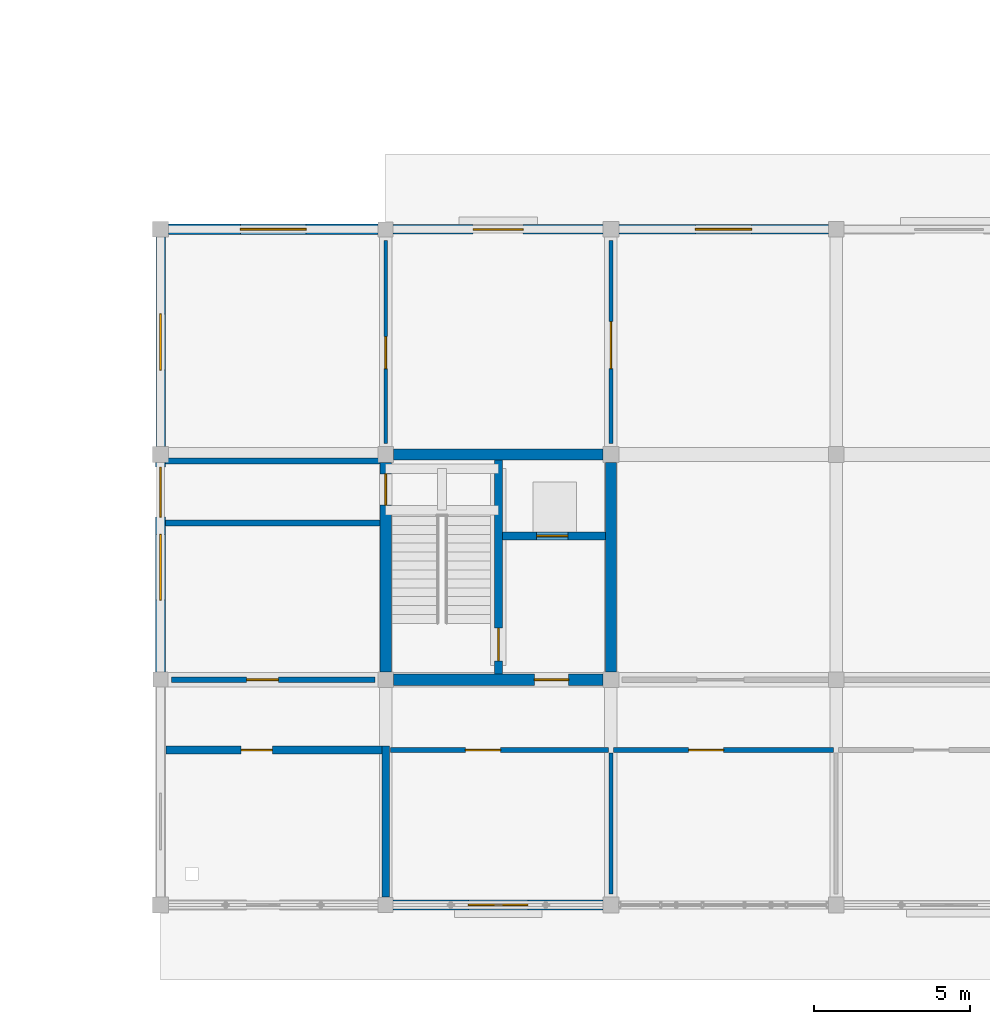
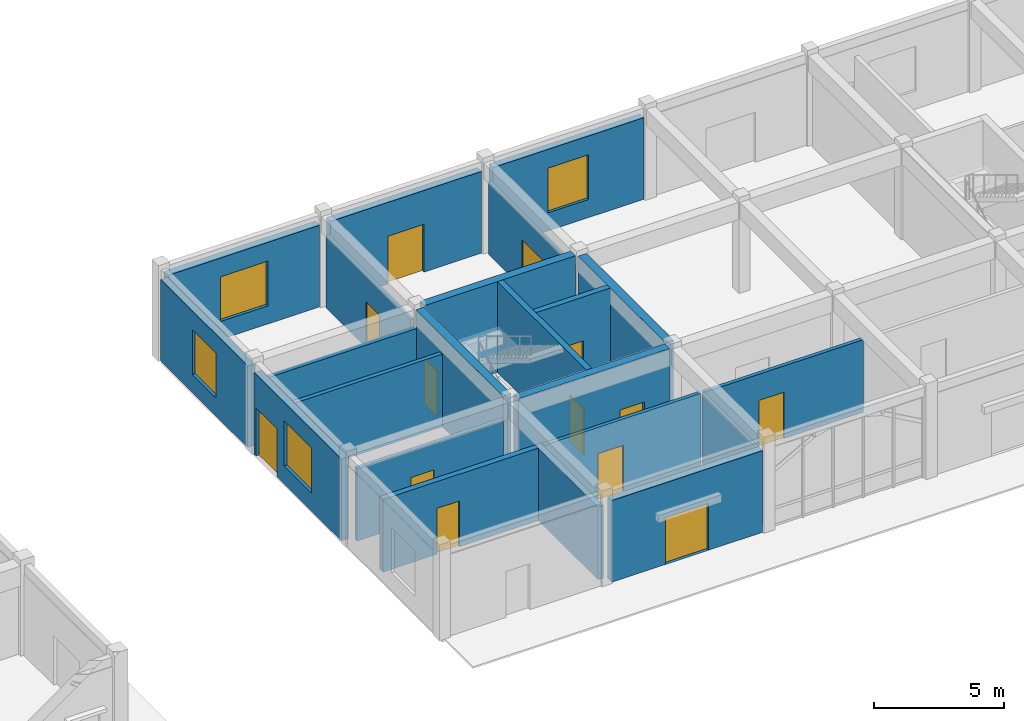
# One storey, part 97 of 138: 22 walls, 13 doors, 4 windows, 17 openings.
"""IFC4 building model written with IfcOpenShell, lengths in metres."""

from ifc_helpers import new_model, si_unit, direction, frame, frame_2d, origin, place, context, subcontext, project, spatial, rectangle, extrude, material, layer, layer_set, type_object, element, fill, save


model = new_model("IFC4")

# Units and contexts
model_context = context("Model", 3, precision=1e-05, world=origin(), true_north=direction((0.0, 1.0)))
body_context = subcontext(model_context, "Body", "Model", "MODEL_VIEW")
ifc_project = project(units=[si_unit("LENGTHUNIT", "METRE"), si_unit("AREAUNIT", "SQUARE_METRE"), si_unit("VOLUMEUNIT", "CUBIC_METRE"), si_unit("PLANEANGLEUNIT", "RADIAN"), si_unit("MASSUNIT", "GRAM", prefix="KILO"), si_unit("THERMODYNAMICTEMPERATUREUNIT", "KELVIN"), si_unit("POWERUNIT", "WATT")], contexts=[model_context])

# Site, building, storey
site_placement = place(None, origin())
site = spatial("IfcSite", under=ifc_project, at=site_placement, CompositionType="ELEMENT")
building_placement = place(site_placement, origin())
building = spatial("IfcBuilding", under=site, at=building_placement, Name="Tavuni Mirador Residences", CompositionType="ELEMENT")
storey_placement = place(building_placement, origin())
storey = spatial("IfcBuildingStorey", under=building, at=storey_placement, Name="L00", CompositionType="ELEMENT", Elevation=0.0)

# Wall, opening, door
ifc_material_1 = material(Name="Precast concrete C40/50", Category="concrete")
ifc_layer_1 = layer(ifc_material_1, 0.25, Name="Precast concrete C40/50", Category="concrete")
ifc_layer_set_1 = layer_set([ifc_layer_1], Name="Precast concrete C40/50")
wall_type_1 = type_object("IfcWallType", Name="WT-COR250", PredefinedType="SHEAR", material=ifc_layer_set_1)
wall_1_placement = place(storey_placement, frame((57.60009765625, 14.580078125, 0.0), z_axis=(0.0, 0.0, 1.0), x_axis=(0.0, 1.0, 0.0)))
wall_1 = element("IfcWall", 1, at=wall_1_placement, inside=storey, type_object=wall_type_1, Name="CWALL-CS1-L00-MID", PredefinedType="SHEAR", context=body_context, shape_type="SweptSolid", body=[
    extrude(rectangle(XDim=6.83984375, YDim=0.25, at=frame_2d((3.419921875, 0.0))), origin(), (0.0, 0.0, 1.0), 4.260009765625),
])
opening_1_placement = place(wall_1_placement, frame((0.419921875, 0.0, 0.0)))
opening_1 = element("IfcOpeningElement", 2, at=opening_1_placement, cuts=wall_1, Name="Opening D-01", PredefinedType="OPENING", context=body_context, shape_type="SweptSolid", body=[
    extrude(rectangle(XDim=1.050048828125, YDim=2.14990234375, at=frame_2d((0.52490234375, 1.074951171875))), frame((0.0, 0.135009765625, 0.0), z_axis=(0.0, -1.0, 0.0), x_axis=(1.0, 0.0, 0.0)), (0.0, 0.0, 1.0), 0.27001953125),
])
ifc_material_2 = material(Name="Solid core iroko timber", Category="wood")
door_type_1 = type_object("IfcDoorType", Name="DT-ST1050", OperationType="NOTDEFINED", PredefinedType="DOOR", material=ifc_material_2)
door_1_placement = place(opening_1_placement, frame((1.050048828125, 0.0, 0.0), z_axis=(0.0, 0.0, 1.0), x_axis=(-1.0, 0.0, 0.0)))
door_1 = element("IfcDoor", 3, at=door_1_placement, inside=storey, type_object=door_type_1, Name="DR-2358", OperationType="SINGLE_SWING_RIGHT", OverallHeight=2.14990234375, OverallWidth=1.050048828125, PredefinedType="DOOR", context=body_context, shape_type="SweptSolid", body=[
    extrude(rectangle(XDim=1.050048828125, YDim=2.14990234375, at=frame_2d((0.52490234375, 1.074951171875))), frame((0.0, 0.02490234375, 0.0), z_axis=(0.0, -1.0, 0.0), x_axis=(1.0, 0.0, 0.0)), (0.0, 0.0, 1.0), 0.050048828125),
])
fill(opening_1, door_1)

wall_2_placement = place(storey_placement, frame((57.72509765625, 19.0, 0.0), z_axis=(0.0, 0.0, 1.0), x_axis=(1.0, 0.0, 0.0)))
wall_2 = element("IfcWall", 4, at=wall_2_placement, inside=storey, type_object=wall_type_1, Name="CWALL-CS1-L00-SHF", PredefinedType="SHEAR", context=body_context, shape_type="SweptSolid", body=[
    extrude(rectangle(XDim=3.294921875, YDim=0.25, at=frame_2d((1.6474609375, 0.0))), origin(), (0.0, 0.0, 1.0), 4.260009765625),
])
opening_2_placement = place(wall_2_placement, frame((1.10009765625, 0.0, 0.0)))
opening_2 = element("IfcOpeningElement", 5, at=opening_2_placement, cuts=wall_2, Name="Opening LD-02", PredefinedType="OPENING", context=body_context, shape_type="SweptSolid", body=[
    extrude(rectangle(XDim=1.0, YDim=2.199951171875, at=frame_2d((0.5, 1.10009765625))), frame((0.0, 0.135009765625, 0.0), z_axis=(0.0, -1.0, 0.0), x_axis=(1.0, 0.0, 0.0)), (0.0, 0.0, 1.0), 0.27001953125),
])
ifc_material_3 = material(Name="Structural steel S355", Category="steel")
door_type_2 = type_object("IfcDoorType", Name="DT-LD-PAX", OperationType="SLIDING_TO_LEFT", PredefinedType="DOOR", material=ifc_material_3)
door_2_placement = place(opening_2_placement, origin())
door_2 = element("IfcDoor", 6, at=door_2_placement, inside=storey, type_object=door_type_2, Name="Lift landing door PL-S1 L00", OperationType="SLIDING_TO_LEFT", OverallHeight=2.199951171875, OverallWidth=1.0, PredefinedType="DOOR", context=body_context, shape_type="SweptSolid", body=[
    extrude(rectangle(XDim=1.0, YDim=2.199951171875, at=frame_2d((0.5, 1.10009765625))), frame((0.0, 0.02490234375, 0.0), z_axis=(0.0, -1.0, 0.0), x_axis=(1.0, 0.0, 0.0)), (0.0, 0.0, 1.0), 0.050048828125),
])
fill(opening_2, door_2)

# Wall
wall_3_placement = place(storey_placement, frame((54.0, 7.449951171875, 0.0), z_axis=(0.0, 0.0, 1.0), x_axis=(0.0, 1.0, 0.0)))
element("IfcWall", 7, at=wall_3_placement, inside=storey, type_object=wall_type_1, Name="PW-SHOP-FCC-E", PredefinedType="SHEAR", context=body_context, shape_type="SweptSolid", body=[
    extrude(rectangle(XDim=4.824951171875, YDim=0.25, at=frame_2d((2.41259765625, 0.0))), origin(), (0.0, 0.0, 1.0), 3.409912109375),
])

# Wall, opening, door
wall_4_placement = place(storey_placement, frame((46.97509765625, 12.14990234375, 0.0), z_axis=(0.0, 0.0, 1.0), x_axis=(1.0, 0.0, 0.0)))
wall_4 = element("IfcWall", 8, at=wall_4_placement, inside=storey, type_object=wall_type_1, Name="PW-SHOP-FCC-N", PredefinedType="SHEAR", context=body_context, shape_type="SweptSolid", body=[
    extrude(rectangle(XDim=6.89990234375, YDim=0.25, at=frame_2d((3.449951171875, 0.0))), origin(), (0.0, 0.0, 1.0), 3.409912109375),
])
opening_3_placement = place(wall_4_placement, frame((2.39990234375, 0.0, 0.0)))
opening_3 = element("IfcOpeningElement", 9, at=opening_3_placement, cuts=wall_4, Name="Opening D-03", PredefinedType="OPENING", context=body_context, shape_type="SweptSolid", body=[
    extrude(rectangle(XDim=1.0, YDim=2.14990234375, at=frame_2d((0.5, 1.074951171875))), frame((0.0, 0.135009765625, 0.0), z_axis=(0.0, -1.0, 0.0), x_axis=(1.0, 0.0, 0.0)), (0.0, 0.0, 1.0), 0.27001953125),
])
door_type_3 = type_object("IfcDoorType", Name="DT-FD60-1000", OperationType="NOTDEFINED", PredefinedType="DOOR", material=ifc_material_2)
door_3_placement = place(opening_3_placement, origin())
door_3 = element("IfcDoor", 10, at=door_3_placement, inside=storey, type_object=door_type_3, Name="DR-4811", OperationType="SINGLE_SWING_RIGHT", OverallHeight=2.14990234375, OverallWidth=1.0, PredefinedType="DOOR", context=body_context, shape_type="SweptSolid", body=[
    extrude(rectangle(XDim=1.0, YDim=2.14990234375, at=frame_2d((0.5, 1.074951171875))), frame((0.0, 0.02490234375, 0.0), z_axis=(0.0, -1.0, 0.0), x_axis=(1.0, 0.0, 0.0)), (0.0, 0.0, 1.0), 0.050048828125),
])
fill(opening_3, door_3)

ifc_layer_2 = layer(ifc_material_1, 0.360107421875, Name="Precast concrete C40/50", Category="concrete")
ifc_layer_set_2 = layer_set([ifc_layer_2], Name="Precast concrete C40/50")
wall_type_2 = type_object("IfcWallType", Name="WT-COR360", PredefinedType="SHEAR", material=ifc_layer_set_2)
wall_5_placement = place(storey_placement, frame((54.0, 14.64990234375, 0.0), z_axis=(0.0, 0.0, 1.0), x_axis=(0.0, 1.0, 0.0)))
wall_5 = element("IfcWall", 11, at=wall_5_placement, inside=storey, type_object=wall_type_2, Name="CWALL-CS1-L00-W", PredefinedType="SHEAR", context=body_context, shape_type="SweptSolid", body=[
    extrude(rectangle(XDim=6.7001953125, YDim=0.360107421875, at=frame_2d((3.35009765625, 0.0))), origin(), (0.0, 0.0, 1.0), 4.260009765625),
])
opening_4_placement = place(wall_5_placement, frame((5.3349609375, 0.0, 0.0)))
opening_4 = element("IfcOpeningElement", 12, at=opening_4_placement, cuts=wall_5, Name="Opening D-03", PredefinedType="OPENING", context=body_context, shape_type="SweptSolid", body=[
    extrude(rectangle(XDim=1.0, YDim=2.14990234375, at=frame_2d((0.5, 1.074951171875))), frame((0.0, 0.18994140625, 0.0), z_axis=(0.0, -1.0, 0.0), x_axis=(1.0, 0.0, 0.0)), (0.0, 0.0, 1.0), 0.380126953125),
])
door_4_placement = place(opening_4_placement, origin())
door_4 = element("IfcDoor", 13, at=door_4_placement, inside=storey, type_object=door_type_3, Name="DR-4838", OperationType="SINGLE_SWING_LEFT", OverallHeight=2.14990234375, OverallWidth=1.0, PredefinedType="DOOR", context=body_context, shape_type="SweptSolid", body=[
    extrude(rectangle(XDim=1.0, YDim=2.14990234375, at=frame_2d((0.5, 1.074951171875))), frame((0.0, 0.02490234375, 0.0), z_axis=(0.0, -1.0, 0.0), x_axis=(1.0, 0.0, 0.0)), (0.0, 0.0, 1.0), 0.050048828125),
])
fill(opening_4, door_4)

# Walls
wall_6_placement = place(storey_placement, frame((54.25, 21.60009765625, 0.0), z_axis=(0.0, 0.0, 1.0), x_axis=(1.0, 0.0, 0.0)))
element("IfcWall", 14, at=wall_6_placement, inside=storey, type_object=wall_type_2, Name="CWALL-CS1-L00-N", PredefinedType="SHEAR", context=body_context, shape_type="SweptSolid", body=[
    extrude(rectangle(XDim=6.699951171875, YDim=0.360107421875, at=frame_2d((3.35009765625, 0.0))), origin(), (0.0, 0.0, 1.0), 4.260009765625),
])
wall_7_placement = place(storey_placement, frame((61.199951171875, 14.64990234375, 0.0), z_axis=(0.0, 0.0, 1.0), x_axis=(0.0, 1.0, 0.0)))
element("IfcWall", 15, at=wall_7_placement, inside=storey, type_object=wall_type_2, Name="CWALL-CS1-L00-E", PredefinedType="SHEAR", context=body_context, shape_type="SweptSolid", body=[
    extrude(rectangle(XDim=6.7001953125, YDim=0.360107421875, at=frame_2d((3.35009765625, 0.0))), origin(), (0.0, 0.0, 1.0), 4.260009765625),
])

# Wall, opening, door
wall_8_placement = place(storey_placement, frame((54.25, 14.39990234375, 0.0), z_axis=(0.0, 0.0, 1.0), x_axis=(1.0, 0.0, 0.0)))
wall_8 = element("IfcWall", 16, at=wall_8_placement, inside=storey, type_object=wall_type_2, Name="CWALL-CS1-L00-SS", PredefinedType="SHEAR", context=body_context, shape_type="SweptSolid", body=[
    extrude(rectangle(XDim=6.699951171875, YDim=0.360107421875, at=frame_2d((3.35009765625, 0.0))), origin(), (0.0, 0.0, 1.0), 4.260009765625),
])
opening_5_placement = place(wall_8_placement, frame((4.5, 0.0, 0.0)))
opening_5 = element("IfcOpeningElement", 17, at=opening_5_placement, cuts=wall_8, Name="Opening D-02", PredefinedType="OPENING", context=body_context, shape_type="SweptSolid", body=[
    extrude(rectangle(XDim=1.10009765625, YDim=2.14990234375, at=frame_2d((0.550048828125, 1.074951171875))), frame((0.0, 0.18994140625, 0.0), z_axis=(0.0, -1.0, 0.0), x_axis=(1.0, 0.0, 0.0)), (0.0, 0.0, 1.0), 0.380126953125),
])
door_type_4 = type_object("IfcDoorType", Name="DT-LOB1100", OperationType="NOTDEFINED", PredefinedType="DOOR", material=ifc_material_2)
door_5_placement = place(opening_5_placement, frame((1.10009765625, 0.0, 0.0), z_axis=(0.0, 0.0, 1.0), x_axis=(-1.0, 0.0, 0.0)))
door_5 = element("IfcDoor", 18, at=door_5_placement, inside=storey, type_object=door_type_4, Name="DR-2357", OperationType="SINGLE_SWING_LEFT", OverallHeight=2.14990234375, OverallWidth=1.10009765625, PredefinedType="DOOR", context=body_context, shape_type="SweptSolid", body=[
    extrude(rectangle(XDim=1.10009765625, YDim=2.14990234375, at=frame_2d((0.550048828125, 1.074951171875))), frame((0.0, 0.02490234375, 0.0), z_axis=(0.0, -1.0, 0.0), x_axis=(1.0, 0.0, 0.0)), (0.0, 0.0, 1.0), 0.050048828125),
])
fill(opening_5, door_5)

ifc_layer_3 = layer(ifc_material_1, 0.1650390625, Name="Precast concrete C40/50", Category="concrete")
ifc_layer_set_3 = layer_set([ifc_layer_3], Name="Precast concrete C40/50")
wall_type_3 = type_object("IfcWallType", Name="WT-CORR165", PredefinedType="PARTITIONING", material=ifc_layer_set_3)
wall_9_placement = place(storey_placement, frame((54.14990234375, 12.14990234375, 0.0), z_axis=(0.0, 0.0, 1.0), x_axis=(1.0, 0.0, 0.0)))
wall_9 = element("IfcWall", 19, at=wall_9_placement, inside=storey, type_object=wall_type_3, Name="PW-SHOP-L00-CS1", PredefinedType="PARTITIONING", context=body_context, shape_type="SweptSolid", body=[
    extrude(rectangle(XDim=6.97021484375, YDim=0.1650390625, at=frame_2d((3.485107421875, 0.0))), origin(), (0.0, 0.0, 1.0), 3.409912109375),
])
opening_6_placement = place(wall_9_placement, frame((2.39990234375, 0.0, 0.0)))
opening_6 = element("IfcOpeningElement", 20, at=opening_6_placement, cuts=wall_9, Name="Opening D-17", PredefinedType="OPENING", context=body_context, shape_type="SweptSolid", body=[
    extrude(rectangle(XDim=1.1201171875, YDim=2.179931640625, at=frame_2d((0.56005859375, 1.08984375))), frame((0.0, 0.092529296875, 0.0), z_axis=(0.0, -1.0, 0.0), x_axis=(1.0, 0.0, 0.0)), (0.0, 0.0, 1.0), 0.18505859375),
])
ifc_material_4 = material(Name="Anodised aluminium", Category="aluminium")
door_type_5 = type_object("IfcDoorType", Name="DT-SHP1120", OperationType="NOTDEFINED", PredefinedType="DOOR", material=ifc_material_4)
door_6_placement = place(opening_6_placement, origin())
door_6 = element("IfcDoor", 21, at=door_6_placement, inside=storey, type_object=door_type_5, Name="DR-4812", OperationType="SINGLE_SWING_LEFT", OverallHeight=2.179931640625, OverallWidth=1.1201171875, PredefinedType="DOOR", context=body_context, shape_type="SweptSolid", body=[
    extrude(rectangle(XDim=1.1201171875, YDim=2.179931640625, at=frame_2d((0.56005859375, 1.08984375))), frame((0.0, 0.02490234375, 0.0), z_axis=(0.0, -1.0, 0.0), x_axis=(1.0, 0.0, 0.0)), (0.0, 0.0, 1.0), 0.050048828125),
])
fill(opening_6, door_6)

wall_10_placement = place(storey_placement, frame((61.280029296875, 12.14990234375, 0.0), z_axis=(0.0, 0.0, 1.0), x_axis=(1.0, 0.0, 0.0)))
wall_10 = element("IfcWall", 22, at=wall_10_placement, inside=storey, type_object=wall_type_3, Name="PW-SHOP-L00-CS2", PredefinedType="PARTITIONING", context=body_context, shape_type="SweptSolid", body=[
    extrude(rectangle(XDim=7.0400390625, YDim=0.1650390625, at=frame_2d((3.52001953125, 0.0))), origin(), (0.0, 0.0, 1.0), 3.409912109375),
])
opening_7_placement = place(wall_10_placement, frame((2.39990234375, 0.0, 0.0)))
opening_7 = element("IfcOpeningElement", 23, at=opening_7_placement, cuts=wall_10, Name="Opening D-17", PredefinedType="OPENING", context=body_context, shape_type="SweptSolid", body=[
    extrude(rectangle(XDim=1.1201171875, YDim=2.179931640625, at=frame_2d((0.56005859375, 1.08984375))), frame((0.0, 0.092529296875, 0.0), z_axis=(0.0, -1.0, 0.0), x_axis=(1.0, 0.0, 0.0)), (0.0, 0.0, 1.0), 0.18505859375),
])
door_7_placement = place(opening_7_placement, origin())
door_7 = element("IfcDoor", 24, at=door_7_placement, inside=storey, type_object=door_type_5, Name="DR-4813", OperationType="SINGLE_SWING_RIGHT", OverallHeight=2.179931640625, OverallWidth=1.1201171875, PredefinedType="DOOR", context=body_context, shape_type="SweptSolid", body=[
    extrude(rectangle(XDim=1.1201171875, YDim=2.179931640625, at=frame_2d((0.56005859375, 1.08984375))), frame((0.0, 0.02490234375, 0.0), z_axis=(0.0, -1.0, 0.0), x_axis=(1.0, 0.0, 0.0)), (0.0, 0.0, 1.0), 0.050048828125),
])
fill(opening_7, door_7)

wall_11_placement = place(storey_placement, frame((47.14990234375, 14.39990234375, 0.0), z_axis=(0.0, 0.0, 1.0), x_axis=(1.0, 0.0, 0.0)))
wall_11 = element("IfcWall", 25, at=wall_11_placement, inside=storey, type_object=wall_type_3, Name="PW-SHOP-L00-CN1", PredefinedType="PARTITIONING", context=body_context, shape_type="SweptSolid", body=[
    extrude(rectangle(XDim=6.5, YDim=0.1650390625, at=frame_2d((3.25, 0.0))), origin(), (0.0, 0.0, 1.0), 3.409912109375),
])
opening_8_placement = place(wall_11_placement, frame((2.39990234375, 0.0, 0.0)))
opening_8 = element("IfcOpeningElement", 26, at=opening_8_placement, cuts=wall_11, Name="Opening D-13", PredefinedType="OPENING", context=body_context, shape_type="SweptSolid", body=[
    extrude(rectangle(XDim=1.02001953125, YDim=2.14990234375, at=frame_2d((0.510009765625, 1.074951171875))), frame((0.0, 0.092529296875, 0.0), z_axis=(0.0, -1.0, 0.0), x_axis=(1.0, 0.0, 0.0)), (0.0, 0.0, 1.0), 0.18505859375),
])
door_type_6 = type_object("IfcDoorType", Name="DT-MTG1020", OperationType="NOTDEFINED", PredefinedType="DOOR", material=ifc_material_2)
door_8_placement = place(opening_8_placement, origin())
door_8 = element("IfcDoor", 27, at=door_8_placement, inside=storey, type_object=door_type_6, Name="DR-4817", OperationType="SINGLE_SWING_RIGHT", OverallHeight=2.14990234375, OverallWidth=1.02001953125, PredefinedType="DOOR", context=body_context, shape_type="SweptSolid", body=[
    extrude(rectangle(XDim=1.02001953125, YDim=2.14990234375, at=frame_2d((0.510009765625, 1.074951171875))), frame((0.0, 0.02490234375, 0.0), z_axis=(0.0, -1.0, 0.0), x_axis=(1.0, 0.0, 0.0)), (0.0, 0.0, 1.0), 0.050048828125),
])
fill(opening_8, door_8)

# Walls
ifc_layer_4 = layer(ifc_material_1, 0.18505859375, Name="Precast concrete C40/50", Category="concrete")
ifc_layer_set_4 = layer_set([ifc_layer_4], Name="Precast concrete C40/50")
wall_type_4 = type_object("IfcWallType", Name="WT-CORR185", PredefinedType="PARTITIONING", material=ifc_layer_set_4)
for number, where, z_axis, x_axis, name in (
    (28, (46.9599609375, 19.407470703125, 0.0), (0.0, 0.0, 1.0), (1.0, 0.0, 0.0), "XPW-ST9-S"),
    (29, (46.9599609375, 21.392578125, 0.0), (0.0, 0.0, 1.0), (1.0, 0.0, 0.0), "XPW-ST9-N"),
):
    element("IfcWall", number, at=place(storey_placement, frame(where, z_axis=z_axis, x_axis=x_axis)), inside=storey, type_object=wall_type_4, Name=name, PredefinedType="PARTITIONING", context=body_context, shape_type="SweptSolid", body=[
        extrude(rectangle(XDim=6.860107421875, YDim=0.18505859375, at=frame_2d((3.43017578125, 0.0))), origin(), (0.0, 0.0, 1.0), 3.409912109375),
    ])

# Wall, opening, window
ifc_layer_5 = layer(ifc_material_1, 0.330078125, Name="Precast concrete C40/50", Category="concrete")
ifc_layer_set_5 = layer_set([ifc_layer_5], Name="Precast concrete C40/50")
wall_type_5 = type_object("IfcWallType", Name="WT-EXT-COR330", PredefinedType="SOLIDWALL", material=ifc_layer_set_5)
wall_12_placement = place(storey_placement, frame((53.760009765625, 28.800048828125, 0.0), z_axis=(0.0, 0.0, 1.0), x_axis=(-1.0, 0.0, 0.0)))
wall_12 = element("IfcWall", 30, at=wall_12_placement, inside=storey, type_object=wall_type_5, Name="EW-PAV-SHOP-L00-N00", PredefinedType="SOLIDWALL", context=body_context, shape_type="SweptSolid", body=[
    extrude(rectangle(XDim=6.7099609375, YDim=0.330078125, at=frame_2d((3.35498046875, 0.0))), origin(), (0.0, 0.0, 1.0), 3.830078125),
])
opening_9_placement = place(wall_12_placement, frame((2.304931640625, 0.0, 0.85009765625)))
opening_9 = element("IfcOpeningElement", 31, at=opening_9_placement, cuts=wall_12, Name="Opening WN-32", PredefinedType="OPENING", context=body_context, shape_type="SweptSolid", body=[
    extrude(rectangle(XDim=2.10009765625, YDim=2.10009765625, at=frame_2d((1.050048828125, 1.050048828125))), frame((0.0, 0.175048828125, 0.0), z_axis=(0.0, -1.0, 0.0), x_axis=(1.0, 0.0, 0.0)), (0.0, 0.0, 1.0), 0.35009765625),
])
ifc_material_5 = material(Name="Laminated solar-control glass", Category="glass")
window_type_1 = type_object("IfcWindowType", Name="WNT-32", PartitioningType="SINGLE_PANEL", PredefinedType="WINDOW", material=ifc_material_5)
window_1_placement = place(opening_9_placement, origin())
window_1 = element("IfcWindow", 32, at=window_1_placement, inside=storey, type_object=window_type_1, Name="WIN-1885", OverallHeight=2.10009765625, OverallWidth=2.10009765625, PartitioningType="SINGLE_PANEL", PredefinedType="WINDOW", context=body_context, shape_type="SweptSolid", body=[
    extrude(rectangle(XDim=2.10009765625, YDim=2.10009765625, at=frame_2d((1.050048828125, 1.050048828125))), frame((0.0, 0.030029296875, 0.0), z_axis=(0.0, -1.0, 0.0), x_axis=(1.0, 0.0, 0.0)), (0.0, 0.0, 1.0), 0.06005859375),
])
fill(opening_9, window_1)

ifc_material_6 = material(Name="Sgraffito lime-rendered precast concrete C40/50", Category="concrete")
ifc_layer_6 = layer(ifc_material_6, 0.304931640625, Name="Sgraffito lime-rendered precast concrete C40/50", Category="concrete")
ifc_layer_set_6 = layer_set([ifc_layer_6], Name="Sgraffito lime-rendered precast concrete C40/50")
wall_type_6 = type_object("IfcWallType", Name="WT-EXT-PC305", PredefinedType="SOLIDWALL", material=ifc_layer_set_6)
wall_13_placement = place(storey_placement, frame((68.14990234375, 28.800048828125, 0.0), z_axis=(0.0, 0.0, 1.0), x_axis=(-1.0, 0.0, 0.0)))
wall_13 = element("IfcWall", 33, at=wall_13_placement, inside=storey, type_object=wall_type_6, Name="EW-PAV-SHOP-L00-N02", PredefinedType="SOLIDWALL", context=body_context, shape_type="SweptSolid", body=[
    extrude(rectangle(XDim=6.699951171875, YDim=0.304931640625, at=frame_2d((3.35009765625, 0.0))), origin(), (0.0, 0.0, 1.0), 3.830078125),
])
opening_10_placement = place(wall_13_placement, frame((2.449951171875, 0.0, 0.85009765625)))
opening_10 = element("IfcOpeningElement", 34, at=opening_10_placement, cuts=wall_13, Name="Opening WN-31", PredefinedType="OPENING", context=body_context, shape_type="SweptSolid", body=[
    extrude(rectangle(XDim=1.800048828125, YDim=2.10009765625, at=frame_2d((0.89990234375, 1.050048828125))), frame((0.0, 0.16259765625, 0.0), z_axis=(0.0, -1.0, 0.0), x_axis=(1.0, 0.0, 0.0)), (0.0, 0.0, 1.0), 0.324951171875),
])
window_type_2 = type_object("IfcWindowType", Name="WNT-31", PartitioningType="SINGLE_PANEL", PredefinedType="WINDOW", material=ifc_material_5)
window_2_placement = place(opening_10_placement, origin())
window_2 = element("IfcWindow", 35, at=window_2_placement, inside=storey, type_object=window_type_2, Name="WIN-1884", OverallHeight=2.10009765625, OverallWidth=1.800048828125, PartitioningType="SINGLE_PANEL", PredefinedType="WINDOW", context=body_context, shape_type="SweptSolid", body=[
    extrude(rectangle(XDim=1.800048828125, YDim=2.10009765625, at=frame_2d((0.89990234375, 1.050048828125))), frame((0.0, 0.030029296875, 0.0), z_axis=(0.0, -1.0, 0.0), x_axis=(1.0, 0.0, 0.0)), (0.0, 0.0, 1.0), 0.06005859375),
])
fill(opening_10, window_2)

wall_14_placement = place(storey_placement, frame((46.800048828125, 28.550048828125, 0.0), z_axis=(0.0, 0.0, 1.0), x_axis=(0.0, -1.0, 0.0)))
wall_14 = element("IfcWall", 36, at=wall_14_placement, inside=storey, type_object=wall_type_6, Name="EW-PAV-SHOP-L00-W02", PredefinedType="SOLIDWALL", context=body_context, shape_type="SweptSolid", body=[
    extrude(rectangle(XDim=6.699951171875, YDim=0.304931640625, at=frame_2d((3.35009765625, 0.0))), origin(), (0.0, 0.0, 1.0), 3.830078125),
])
opening_11_placement = place(wall_14_placement, frame((2.449951171875, 0.0, 0.85009765625)))
opening_11 = element("IfcOpeningElement", 37, at=opening_11_placement, cuts=wall_14, Name="Opening WN-31", PredefinedType="OPENING", context=body_context, shape_type="SweptSolid", body=[
    extrude(rectangle(XDim=1.800048828125, YDim=2.10009765625, at=frame_2d((0.89990234375, 1.050048828125))), frame((0.0, 0.16259765625, 0.0), z_axis=(0.0, -1.0, 0.0), x_axis=(1.0, 0.0, 0.0)), (0.0, 0.0, 1.0), 0.324951171875),
])
window_3_placement = place(opening_11_placement, origin())
window_3 = element("IfcWindow", 38, at=window_3_placement, inside=storey, type_object=window_type_2, Name="WIN-1886", OverallHeight=2.10009765625, OverallWidth=1.800048828125, PartitioningType="SINGLE_PANEL", PredefinedType="WINDOW", context=body_context, shape_type="SweptSolid", body=[
    extrude(rectangle(XDim=1.800048828125, YDim=2.10009765625, at=frame_2d((0.89990234375, 1.050048828125))), frame((0.0, 0.030029296875, 0.0), z_axis=(0.0, -1.0, 0.0), x_axis=(1.0, 0.0, 0.0)), (0.0, 0.0, 1.0), 0.06005859375),
])
fill(opening_11, window_3)

# Wall, opening, door
ifc_layer_7 = layer(ifc_material_6, 0.31494140625, Name="Sgraffito lime-rendered precast concrete C40/50", Category="concrete")
ifc_layer_set_7 = layer_set([ifc_layer_7], Name="Sgraffito lime-rendered precast concrete C40/50")
wall_type_7 = type_object("IfcWallType", Name="WT-EXT-PC315", PredefinedType="SOLIDWALL", material=ifc_layer_set_7)
wall_15_placement = place(storey_placement, frame((54.239990234375, 7.199951171875, 0.0), z_axis=(0.0, 0.0, 1.0), x_axis=(1.0, 0.0, 0.0)))
wall_15 = element("IfcWall", 39, at=wall_15_placement, inside=storey, type_object=wall_type_7, Name="EW-PAV-SHOP-L00-S01", PredefinedType="SOLIDWALL", context=body_context, shape_type="SweptSolid", body=[
    extrude(rectangle(XDim=6.7099609375, YDim=0.31494140625, at=frame_2d((3.35498046875, 0.0))), origin(), (0.0, 0.0, 1.0), 3.830078125),
])
opening_12_placement = place(wall_15_placement, frame((2.405029296875, 0.0, 0.0)))
opening_12 = element("IfcOpeningElement", 40, at=opening_12_placement, cuts=wall_15, Name="Opening EX-01", PredefinedType="OPENING", context=body_context, shape_type="SweptSolid", body=[
    extrude(rectangle(XDim=1.89990234375, YDim=2.199951171875, at=frame_2d((0.949951171875, 1.10009765625))), frame((0.0, 0.16748046875, 0.0), z_axis=(0.0, -1.0, 0.0), x_axis=(1.0, 0.0, 0.0)), (0.0, 0.0, 1.0), 0.3349609375),
])
door_type_7 = type_object("IfcDoorType", Name="DT-EX1900", OperationType="DOUBLE_DOOR_SINGLE_SWING", PredefinedType="DOOR", material=ifc_material_2)
door_9_placement = place(opening_12_placement, frame((1.89990234375, 0.0, 0.0), z_axis=(0.0, 0.0, 1.0), x_axis=(-1.0, 0.0, 0.0)))
door_9 = element("IfcDoor", 41, at=door_9_placement, inside=storey, type_object=door_type_7, Name="Final exit door EX-030", OperationType="DOUBLE_DOOR_SINGLE_SWING", OverallHeight=2.199951171875, OverallWidth=1.89990234375, PredefinedType="DOOR", context=body_context, shape_type="SweptSolid", body=[
    extrude(rectangle(XDim=1.89990234375, YDim=2.199951171875, at=frame_2d((0.949951171875, 1.10009765625))), frame((0.0, 0.02490234375, 0.0), z_axis=(0.0, -1.0, 0.0), x_axis=(1.0, 0.0, 0.0)), (0.0, 0.0, 1.0), 0.050048828125),
])
fill(opening_12, door_9)

wall_16_placement = place(storey_placement, frame((60.949951171875, 28.800048828125, 0.0), z_axis=(0.0, 0.0, 1.0), x_axis=(-1.0, 0.0, 0.0)))
wall_16 = element("IfcWall", 42, at=wall_16_placement, inside=storey, type_object=wall_type_7, Name="EW-PAV-SHOP-L00-N01", PredefinedType="SOLIDWALL", context=body_context, shape_type="SweptSolid", body=[
    extrude(rectangle(XDim=6.7099609375, YDim=0.31494140625, at=frame_2d((3.35498046875, 0.0))), origin(), (0.0, 0.0, 1.0), 3.830078125),
])
opening_13_placement = place(wall_16_placement, frame((2.554931640625, 0.0, 0.0)))
opening_13 = element("IfcOpeningElement", 43, at=opening_13_placement, cuts=wall_16, Name="Opening EN-01", PredefinedType="OPENING", context=body_context, shape_type="SweptSolid", body=[
    extrude(rectangle(XDim=1.60009765625, YDim=2.25, at=frame_2d((0.800048828125, 1.125))), frame((0.0, 0.16748046875, 0.0), z_axis=(0.0, -1.0, 0.0), x_axis=(1.0, 0.0, 0.0)), (0.0, 0.0, 1.0), 0.3349609375),
])
door_type_8 = type_object("IfcDoorType", Name="DT-ENT1600", OperationType="DOUBLE_DOOR_SINGLE_SWING", PredefinedType="DOOR", material=ifc_material_4)
door_10_placement = place(opening_13_placement, frame((1.60009765625, 0.0, 0.0), z_axis=(0.0, 0.0, 1.0), x_axis=(-1.0, 0.0, 0.0)))
door_10 = element("IfcDoor", 44, at=door_10_placement, inside=storey, type_object=door_type_8, Name="Final exit door EX-034", OperationType="DOUBLE_DOOR_SINGLE_SWING", OverallHeight=2.25, OverallWidth=1.60009765625, PredefinedType="DOOR", context=body_context, shape_type="SweptSolid", body=[
    extrude(rectangle(XDim=1.60009765625, YDim=2.25, at=frame_2d((0.800048828125, 1.125))), frame((0.0, 0.02490234375, 0.0), z_axis=(0.0, -1.0, 0.0), x_axis=(1.0, 0.0, 0.0)), (0.0, 0.0, 1.0), 0.050048828125),
])
fill(opening_13, door_10)

# Wall, openings, door, window
wall_17_placement = place(storey_placement, frame((46.800048828125, 21.35009765625, 0.0), z_axis=(0.0, 0.0, 1.0), x_axis=(0.0, -1.0, 0.0)))
wall_17 = element("IfcWall", 45, at=wall_17_placement, inside=storey, type_object=wall_type_7, Name="EW-PAV-SHOP-L00-W01", PredefinedType="SOLIDWALL", context=body_context, shape_type="SweptSolid", body=[
    extrude(rectangle(XDim=6.710205078125, YDim=0.31494140625, at=frame_2d((3.35498046875, 0.0))), origin(), (0.0, 0.0, 1.0), 3.830078125),
])
opening_14_placement = place(wall_17_placement, frame((2.304931640625, 0.0, 0.85009765625)))
opening_14 = element("IfcOpeningElement", 46, at=opening_14_placement, cuts=wall_17, Name="Opening WN-32", PredefinedType="OPENING", context=body_context, shape_type="SweptSolid", body=[
    extrude(rectangle(XDim=2.10009765625, YDim=2.10009765625, at=frame_2d((1.050048828125, 1.050048828125))), frame((0.0, 0.16748046875, 0.0), z_axis=(0.0, -1.0, 0.0), x_axis=(1.0, 0.0, 0.0)), (0.0, 0.0, 1.0), 0.3349609375),
])
opening_15_placement = place(wall_17_placement, frame((0.14990234375, 0.0, 0.0)))
opening_15 = element("IfcOpeningElement", 47, at=opening_15_placement, cuts=wall_17, Name="Opening EN-01", PredefinedType="OPENING", context=body_context, shape_type="SweptSolid", body=[
    extrude(rectangle(XDim=1.60009765625, YDim=2.25, at=frame_2d((0.800048828125, 1.125))), frame((0.0, 0.16748046875, 0.0), z_axis=(0.0, -1.0, 0.0), x_axis=(1.0, 0.0, 0.0)), (0.0, 0.0, 1.0), 0.3349609375),
])
door_11_placement = place(opening_15_placement, frame((1.60009765625, 0.0, 0.0), z_axis=(0.0, 0.0, 1.0), x_axis=(-1.0, 0.0, 0.0)))
door_11 = element("IfcDoor", 48, at=door_11_placement, inside=storey, type_object=door_type_8, Name="Final exit door EX-038", OperationType="DOUBLE_DOOR_SINGLE_SWING", OverallHeight=2.25, OverallWidth=1.60009765625, PredefinedType="DOOR", context=body_context, shape_type="SweptSolid", body=[
    extrude(rectangle(XDim=1.60009765625, YDim=2.25, at=frame_2d((0.800048828125, 1.125))), frame((0.0, 0.02490234375, 0.0), z_axis=(0.0, -1.0, 0.0), x_axis=(1.0, 0.0, 0.0)), (0.0, 0.0, 1.0), 0.050048828125),
])
fill(opening_15, door_11)
window_4_placement = place(opening_14_placement, origin())
window_4 = element("IfcWindow", 49, at=window_4_placement, inside=storey, type_object=window_type_1, Name="WIN-1887", OverallHeight=2.10009765625, OverallWidth=2.10009765625, PartitioningType="SINGLE_PANEL", PredefinedType="WINDOW", context=body_context, shape_type="SweptSolid", body=[
    extrude(rectangle(XDim=2.10009765625, YDim=2.10009765625, at=frame_2d((1.050048828125, 1.050048828125))), frame((0.0, 0.030029296875, 0.0), z_axis=(0.0, -1.0, 0.0), x_axis=(1.0, 0.0, 0.0)), (0.0, 0.0, 1.0), 0.06005859375),
])
fill(opening_14, window_4)

# Wall
ifc_material_7 = material(Name="Acoustic gypsum and concrete block partition", Category="concrete")
ifc_layer_8 = layer(ifc_material_7, 0.125, Name="Acoustic gypsum and concrete block partition", Category="concrete")
ifc_layer_set_8 = layer_set([ifc_layer_8], Name="Acoustic gypsum and concrete block partition")
wall_type_8 = type_object("IfcWallType", Name="WT-PART125", PredefinedType="PARTITIONING", material=ifc_layer_set_8)
wall_18_placement = place(storey_placement, frame((61.199951171875, 7.550048828125, 0.0), z_axis=(0.0, 0.0, 1.0), x_axis=(0.0, 1.0, 0.0)))
element("IfcWall", 50, at=wall_18_placement, inside=storey, type_object=wall_type_8, Name="PW-SHOP-L00-SV1", PredefinedType="PARTITIONING", context=body_context, shape_type="SweptSolid", body=[
    extrude(rectangle(XDim=4.5, YDim=0.125, at=frame_2d((2.25, 0.0))), origin(), (0.0, 0.0, 1.0), 3.409912109375),
])

# Wall, opening, door
wall_19_placement = place(storey_placement, frame((54.0, 21.949951171875, 0.0), z_axis=(0.0, 0.0, 1.0), x_axis=(0.0, 1.0, 0.0)))
wall_19 = element("IfcWall", 51, at=wall_19_placement, inside=storey, type_object=wall_type_8, Name="PW-SHOP-L00-NW", PredefinedType="PARTITIONING", context=body_context, shape_type="SweptSolid", body=[
    extrude(rectangle(XDim=6.5, YDim=0.125, at=frame_2d((3.25, 0.0))), origin(), (0.0, 0.0, 1.0), 3.409912109375),
])
opening_16_placement = place(wall_19_placement, frame((2.39990234375, 0.0, 0.0)))
opening_16 = element("IfcOpeningElement", 52, at=opening_16_placement, cuts=wall_19, Name="Opening D-13", PredefinedType="OPENING", context=body_context, shape_type="SweptSolid", body=[
    extrude(rectangle(XDim=1.02001953125, YDim=2.14990234375, at=frame_2d((0.510009765625, 1.074951171875))), frame((0.0, 0.072509765625, 0.0), z_axis=(0.0, -1.0, 0.0), x_axis=(1.0, 0.0, 0.0)), (0.0, 0.0, 1.0), 0.14501953125),
])
door_12_placement = place(opening_16_placement, origin())
door_12 = element("IfcDoor", 53, at=door_12_placement, inside=storey, type_object=door_type_6, Name="DR-4821", OperationType="SINGLE_SWING_RIGHT", OverallHeight=2.14990234375, OverallWidth=1.02001953125, PredefinedType="DOOR", context=body_context, shape_type="SweptSolid", body=[
    extrude(rectangle(XDim=1.02001953125, YDim=2.14990234375, at=frame_2d((0.510009765625, 1.074951171875))), frame((0.0, 0.02490234375, 0.0), z_axis=(0.0, -1.0, 0.0), x_axis=(1.0, 0.0, 0.0)), (0.0, 0.0, 1.0), 0.050048828125),
])
fill(opening_16, door_12)

wall_20_placement = place(storey_placement, frame((61.199951171875, 21.949951171875, 0.0), z_axis=(0.0, 0.0, 1.0), x_axis=(0.0, 1.0, 0.0)))
wall_20 = element("IfcWall", 54, at=wall_20_placement, inside=storey, type_object=wall_type_8, Name="PW-SHOP-L00-NE", PredefinedType="PARTITIONING", context=body_context, shape_type="SweptSolid", body=[
    extrude(rectangle(XDim=6.5, YDim=0.125, at=frame_2d((3.25, 0.0))), origin(), (0.0, 0.0, 1.0), 3.409912109375),
])
opening_17_placement = place(wall_20_placement, frame((2.39990234375, 0.0, 0.0)))
opening_17 = element("IfcOpeningElement", 55, at=opening_17_placement, cuts=wall_20, Name="Opening D-12", PredefinedType="OPENING", context=body_context, shape_type="SweptSolid", body=[
    extrude(rectangle(XDim=1.5, YDim=2.25, at=frame_2d((0.75, 1.125))), frame((0.0, 0.072509765625, 0.0), z_axis=(0.0, -1.0, 0.0), x_axis=(1.0, 0.0, 0.0)), (0.0, 0.0, 1.0), 0.14501953125),
])
door_type_9 = type_object("IfcDoorType", Name="DT-HAL1500", OperationType="DOUBLE_DOOR_SINGLE_SWING", PredefinedType="DOOR", material=ifc_material_2)
door_13_placement = place(opening_17_placement, origin())
door_13 = element("IfcDoor", 56, at=door_13_placement, inside=storey, type_object=door_type_9, Name="DR-4822", OperationType="DOUBLE_DOOR_SINGLE_SWING", OverallHeight=2.25, OverallWidth=1.5, PredefinedType="DOOR", context=body_context, shape_type="SweptSolid", body=[
    extrude(rectangle(XDim=1.5, YDim=2.25, at=frame_2d((0.75, 1.125))), frame((0.0, 0.02490234375, 0.0), z_axis=(0.0, -1.0, 0.0), x_axis=(1.0, 0.0, 0.0)), (0.0, 0.0, 1.0), 0.050048828125),
])
fill(opening_17, door_13)

save(model, "model.ifc")
